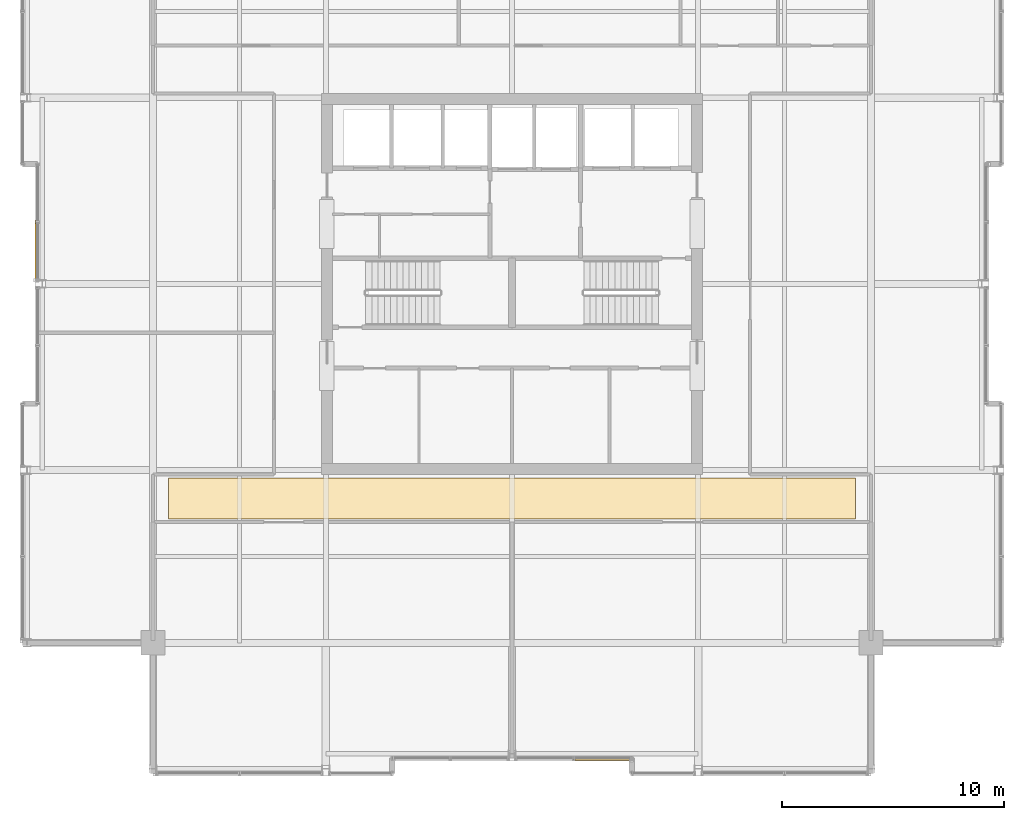
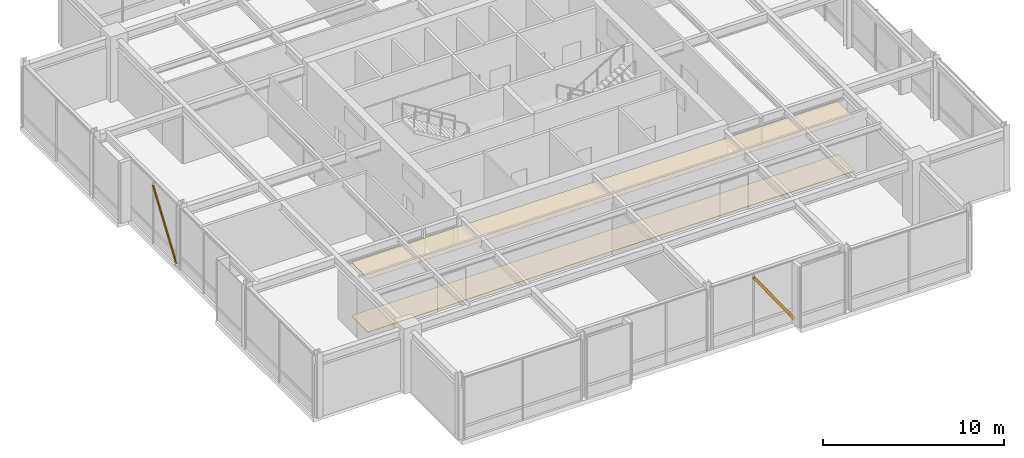
# One storey, part 32 of 34: 2 coverings, 2 shading devices.
"""IFC4 building model written with IfcOpenShell, lengths in metres."""

from ifc_helpers import new_model, si_unit, direction, frame, origin, origin_2d, place, context, subcontext, project, spatial, polyline, hollow_rectangle, outline, extrude, material, layer, layer_set, material_profile, profile_set, type_object, element, save


model = new_model("IFC4")

# Units and contexts
model_context = context("Model", 3, precision=1e-05, world=origin(), true_north=direction((0.0, 1.0)))
body_context = subcontext(model_context, "Body", "Model", "MODEL_VIEW")
ifc_project = project(units=[si_unit("LENGTHUNIT", "METRE"), si_unit("AREAUNIT", "SQUARE_METRE"), si_unit("VOLUMEUNIT", "CUBIC_METRE"), si_unit("PLANEANGLEUNIT", "RADIAN"), si_unit("MASSUNIT", "GRAM", prefix="KILO")], contexts=[model_context])

# Site, building, storey
site_placement = place(None, origin())
site = spatial("IfcSite", under=ifc_project, at=site_placement, CompositionType="ELEMENT")
building_placement = place(site_placement, origin())
building = spatial("IfcBuilding", under=site, at=building_placement, Name="Drelvath Grand Hotel", CompositionType="ELEMENT")
storey_placement = place(building_placement, frame((0.0, 0.0, 294.199951171875)))
storey = spatial("IfcBuildingStorey", under=building, at=storey_placement, Name="L77", CompositionType="ELEMENT", Elevation=294.199951171875)

# Covering
ifc_material_1 = material(Name="Acoustic Gypsum Board")
ifc_layer_1 = layer(ifc_material_1, 0.02490234375)
ifc_layer_set_1 = layer_set([ifc_layer_1], Name="Acoustic Gypsum Board")
covering_type_1 = type_object("IfcCoveringType", Name="Acoustic Gypsum Hospitality Ceiling 25", PredefinedType="CEILING", material=ifc_layer_set_1)
covering_1_placement = place(storey_placement, frame((0.0, 0.0, 3.60009765625)))
element("IfcCovering", 1, at=covering_1_placement, inside=storey, type_object=covering_type_1, Name="L77 Sky Foyer Ceiling", PredefinedType="CEILING", context=body_context, shape_type="SweptSolid", body=[
    extrude(outline(polyline([(15.5, 16.39990234375), (15.5, 18.25), (-15.5, 18.25), (-15.5, 16.39990234375), (15.5, 16.39990234375)])), origin(), (0.0, 0.0, 1.0), 0.02490234375),
])

# Shading devices
ifc_material_2 = material(Name="Platinum-Mist Anodised Aluminium", Category="aluminium")
ifc_material_profile = material_profile(ifc_material_2, hollow_rectangle(XDim=0.06494140625, YDim=0.159912109375, WallThickness=0.00390625, at=origin_2d()), Name="HSS160X65X4")
ifc_profile_set = profile_set([ifc_material_profile], Name="Platinum-Mist Anodised Aluminium")
shading_device_type = type_object("IfcShadingDeviceType", Name="Diagonal Solar Fin Platinum Anodised HSS160X65X4", PredefinedType="USERDEFINED", material=ifc_profile_set)
shading_device_1_placement = place(storey_placement, frame((-21.47998046875, 27.169921875, 0.179931640625), z_axis=(0.0, 0.572995507788, 0.819558508012), x_axis=(-1.0, 0.0, 0.0)))
element("IfcShadingDevice", 2, at=shading_device_1_placement, inside=storey, type_object=shading_device_type, Name="L77 Diagonal Anodised Fin CW05-L77-WM2", ObjectType="FIN", PredefinedType="USERDEFINED", context=body_context, shape_type="SweptSolid", body=[
    extrude(hollow_rectangle(XDim=0.06494140625, YDim=0.159912109375, WallThickness=0.00390625, at=origin_2d()), origin(), (0.0, 0.0, 1.0), 4.563720703125),
])
shading_device_2_placement = place(storey_placement, frame((5.39990234375, 5.52001953125, 0.179931640625), z_axis=(-0.572959574158, 0.0, 0.819583629888), x_axis=(0.0, -1.0, 0.0)))
element("IfcShadingDevice", 3, at=shading_device_2_placement, inside=storey, type_object=shading_device_type, Name="L77 Diagonal Anodised Fin CW05-L77-SM2", ObjectType="FIN", PredefinedType="USERDEFINED", context=body_context, shape_type="SweptSolid", body=[
    extrude(hollow_rectangle(XDim=0.06494140625, YDim=0.159912109375, WallThickness=0.00390625, at=origin_2d()), origin(), (0.0, 0.0, 1.0), 4.5634765625),
])

# Covering
ifc_material_3 = material(Name="Honed Indiana Limestone", Category="masonry")
ifc_layer_2 = layer(ifc_material_3, 0.030029296875)
ifc_layer_set_2 = layer_set([ifc_layer_2], Name="Honed Indiana Limestone")
covering_type_2 = type_object("IfcCoveringType", Name="Honed Limestone Lobby Flooring 30", PredefinedType="FLOORING", material=ifc_layer_set_2)
covering_2_placement = place(storey_placement, origin())
element("IfcCovering", 4, at=covering_2_placement, inside=storey, type_object=covering_type_2, Name="L77 Sky Foyer Stone Floor", PredefinedType="FLOORING", context=body_context, shape_type="SweptSolid", body=[
    extrude(outline(polyline([(15.5, 16.39990234375), (15.5, 18.25), (-15.5, 18.25), (-15.5, 16.39990234375), (15.5, 16.39990234375)])), origin(), (0.0, 0.0, 1.0), 0.030029296875),
])

save(model, "model.ifc")
